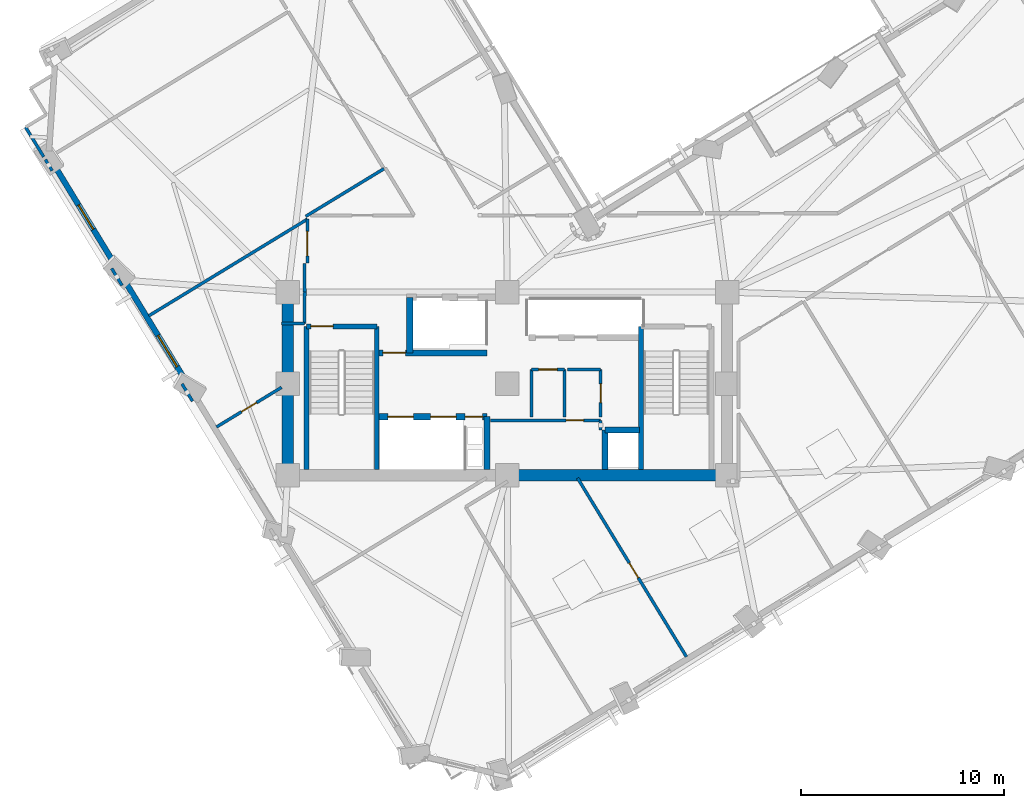
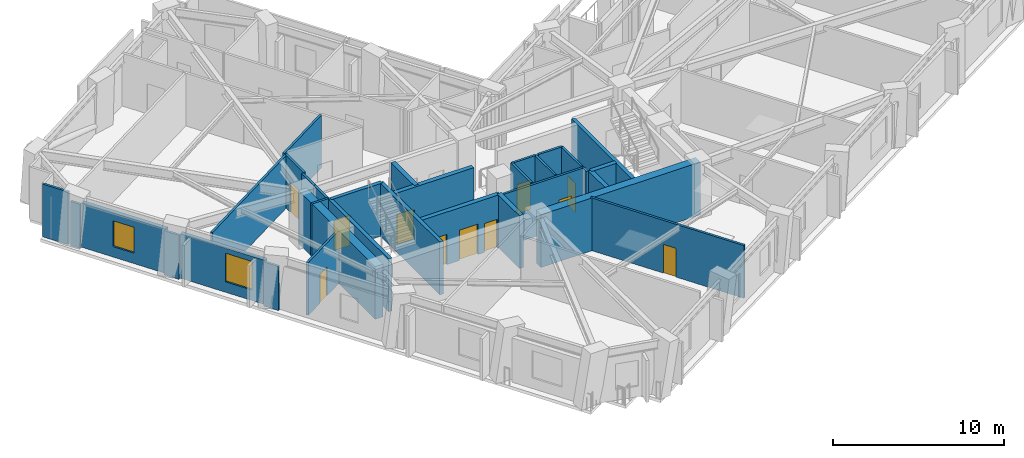
# One storey, part 5 of 14: 33 walls, 11 doors, 2 windows, 13 openings.
"""IFC4 building model written with IfcOpenShell, lengths in metres."""

from ifc_helpers import new_model, si_unit, direction, frame, frame_2d, origin, place, context, subcontext, project, spatial, rectangle, extrude, material, layer, layer_set, type_object, element, fill, save


model = new_model("IFC4")

# Units and contexts
model_context = context("Model", 3, precision=1e-05, world=origin(), true_north=direction((0.0, 1.0)))
body_context = subcontext(model_context, "Body", "Model", "MODEL_VIEW")
ifc_project = project(units=[si_unit("LENGTHUNIT", "METRE"), si_unit("AREAUNIT", "SQUARE_METRE"), si_unit("VOLUMEUNIT", "CUBIC_METRE"), si_unit("PLANEANGLEUNIT", "RADIAN"), si_unit("MASSUNIT", "GRAM", prefix="KILO")], contexts=[model_context])

# Site, building, storey
site_placement = place(None, origin())
site = spatial("IfcSite", under=ifc_project, at=site_placement, CompositionType="ELEMENT")
building_placement = place(site_placement, origin())
building = spatial("IfcBuilding", under=site, at=building_placement, Name="Gaonmaruhae Medical Tower", CompositionType="ELEMENT")
storey_placement = place(building_placement, frame((0.0, 0.0, 157.800048828125)))
storey = spatial("IfcBuildingStorey", under=building, at=storey_placement, Name="L37", CompositionType="ELEMENT", Elevation=157.800048828125)

# Walls
ifc_material_1 = material(Name="Concrete C50/60", Category="concrete")
ifc_layer_1 = layer(ifc_material_1, 0.550048828125)
ifc_layer_set_1 = layer_set([ifc_layer_1], Name="Concrete C50/60")
wall_type_1 = type_object("IfcWallType", Name="CW-550 Mid-High Core Shear Wall", PredefinedType="SHEAR", material=ifc_layer_set_1)
wall_1_placement = place(storey_placement, frame((24.800048828125, 7.800048828125, 0.0), z_axis=(0.0, 0.0, 1.0), x_axis=(1.0, 0.0, 0.0)))
element("IfcWall", 1, at=wall_1_placement, inside=storey, type_object=wall_type_1, Name="L37 Core Shear Wall CSW-S2", PredefinedType="SHEAR", context=body_context, shape_type="SweptSolid", body=[
    extrude(rectangle(XDim=10.800048828125, YDim=0.550048828125, at=frame_2d((5.39990234375, 0.0))), origin(), (0.0, 0.0, 1.0), 3.780029296875),
])
wall_2_placement = place(storey_placement, frame((14.0, 16.800048828125, 0.0), z_axis=(0.0, 0.0, 1.0), x_axis=(0.0, -1.0, 0.0)))
element("IfcWall", 2, at=wall_2_placement, inside=storey, type_object=wall_type_1, Name="L37 Core Shear Wall CSW-W1", PredefinedType="SHEAR", context=body_context, shape_type="SweptSolid", body=[
    extrude(rectangle(XDim=9.0, YDim=0.550048828125, at=frame_2d((4.5, 0.0))), origin(), (0.0, 0.0, 1.0), 3.780029296875),
])

# Wall, opening, window
ifc_material_2 = material(Name="Precast concrete C45/55", Category="concrete")
ifc_layer_2 = layer(ifc_material_2, 0.280029296875)
ifc_layer_set_2 = layer_set([ifc_layer_2], Name="Precast concrete C45/55")
wall_type_2 = type_object("IfcWallType", Name="EW-280 Upper Precast Masonry-Frame Facade Wall", PredefinedType="SOLIDWALL", material=ifc_layer_set_2)
wall_3_placement = place(storey_placement, frame((5.54638671875, 18.087890625, 0.0), z_axis=(0.0, 0.0, 1.0), x_axis=(-0.5202703237, 0.85400163365, 0.0)))
wall_3 = element("IfcWall", 3, at=wall_3_placement, inside=storey, type_object=wall_type_2, Name="L37 Precast Masonry-Frame Wall W01-W02", PredefinedType="SOLIDWALL", context=body_context, shape_type="SweptSolid", body=[
    extrude(rectangle(XDim=5.627685546875, YDim=0.280029296875, at=frame_2d((2.81396484375, 0.0))), origin(), (0.0, 0.0, 1.0), 3.1650390625),
])
opening_1_placement = place(wall_3_placement, frame((2.111083984375, 0.0, 0.75)))
opening_1 = element("IfcOpeningElement", 4, at=opening_1_placement, cuts=wall_3, Name="Opening WN-03", PredefinedType="OPENING", context=body_context, shape_type="SweptSolid", body=[
    extrude(rectangle(XDim=1.39990234375, YDim=1.85009765625, at=frame_2d((0.699951171875, 0.925048828125))), frame((0.0, 0.14990234375, 0.0), z_axis=(0.0, -1.0, 0.0), x_axis=(1.0, 0.0, 0.0)), (0.0, 0.0, 1.0), 0.300048828125),
])
ifc_material_3 = material(Name="Anodised aluminium and Low-E double glazing", Category="aluminium")
window_type_1 = type_object("IfcWindowType", Name="WN-03 Isolation Ward Punched Window 1400x1850", PartitioningType="SINGLE_PANEL", PredefinedType="WINDOW", material=ifc_material_3)
window_1_placement = place(opening_1_placement, origin())
window_1 = element("IfcWindow", 5, at=window_1_placement, inside=storey, type_object=window_type_1, Name="L37 Modular Facade Window W01", OverallHeight=1.85009765625, OverallWidth=1.39990234375, PartitioningType="SINGLE_PANEL", PredefinedType="WINDOW", context=body_context, shape_type="SweptSolid", body=[
    extrude(rectangle(XDim=1.39990234375, YDim=1.85009765625, at=frame_2d((0.699951171875, 0.925048828125))), frame((0.0, 0.030029296875, 0.0), z_axis=(0.0, -1.0, 0.0), x_axis=(1.0, 0.0, 0.0)), (0.0, 0.0, 1.0), 0.06005859375),
])
fill(opening_1, window_1)

wall_4_placement = place(storey_placement, frame((9.00341796875, 12.4130859375, 0.0), z_axis=(0.0, 0.0, 1.0), x_axis=(-0.520247840467, 0.85401533036, 0.0)))
wall_4 = element("IfcWall", 6, at=wall_4_placement, inside=storey, type_object=wall_type_2, Name="L37 Precast Masonry-Frame Wall W02-W03", PredefinedType="SOLIDWALL", context=body_context, shape_type="SweptSolid", body=[
    extrude(rectangle(XDim=5.662353515625, YDim=0.280029296875, at=frame_2d((2.8310546875, 0.0))), origin(), (0.0, 0.0, 1.0), 3.1650390625),
])
opening_2_placement = place(wall_4_placement, frame((0.848388671875, 0.0, 0.75)))
opening_2 = element("IfcOpeningElement", 7, at=opening_2_placement, cuts=wall_4, Name="Opening WN-04", PredefinedType="OPENING", context=body_context, shape_type="SweptSolid", body=[
    extrude(rectangle(XDim=1.800048828125, YDim=2.050048828125, at=frame_2d((0.89990234375, 1.02490234375))), frame((0.0, 0.14990234375, 0.0), z_axis=(0.0, -1.0, 0.0), x_axis=(1.0, 0.0, 0.0)), (0.0, 0.0, 1.0), 0.300048828125),
])
window_type_2 = type_object("IfcWindowType", Name="WN-04 Clinic & Consult Punched Window 1800x2050", PartitioningType="SINGLE_PANEL", PredefinedType="WINDOW", material=ifc_material_3)
window_2_placement = place(opening_2_placement, origin())
window_2 = element("IfcWindow", 8, at=window_2_placement, inside=storey, type_object=window_type_2, Name="L37 Modular Facade Window W02", OverallHeight=2.050048828125, OverallWidth=1.800048828125, PartitioningType="SINGLE_PANEL", PredefinedType="WINDOW", context=body_context, shape_type="SweptSolid", body=[
    extrude(rectangle(XDim=1.800048828125, YDim=2.050048828125, at=frame_2d((0.89990234375, 1.02490234375))), frame((0.0, 0.030029296875, 0.0), z_axis=(0.0, -1.0, 0.0), x_axis=(1.0, 0.0, 0.0)), (0.0, 0.0, 1.0), 0.06005859375),
])
fill(opening_2, window_2)

# Wall, opening, door
ifc_material_4 = material(Name="Gypsum board partition", Category="gypsum")
ifc_layer_3 = layer(ifc_material_4, 0.14990234375)
ifc_layer_set_3 = layer_set([ifc_layer_3], Name="Gypsum board partition")
wall_type_3 = type_object("IfcWallType", Name="PW-150 Rated Clinical Corridor Partition", PredefinedType="PARTITIONING", material=ifc_layer_set_3)
wall_5_placement = place(storey_placement, frame((23.97998046875, 10.5, 0.0), z_axis=(0.0, 0.0, 1.0), x_axis=(1.0, 0.0, 0.0)))
wall_5 = element("IfcWall", 9, at=wall_5_placement, inside=storey, type_object=wall_type_3, Name="L37 Interior Partition L37-RCL1-1", PredefinedType="PARTITIONING", context=body_context, shape_type="SweptSolid", body=[
    extrude(rectangle(XDim=5.39990234375, YDim=0.14990234375, at=frame_2d((2.699951171875, 0.0))), origin(), (0.0, 0.0, 1.0), 3.780029296875),
])
opening_3_placement = place(wall_5_placement, frame((3.702880859375, 0.0, 0.0)))
opening_3 = element("IfcOpeningElement", 10, at=opening_3_placement, cuts=wall_5, Name="Opening AD-01", PredefinedType="OPENING", context=body_context, shape_type="SweptSolid", body=[
    extrude(rectangle(XDim=0.860107421875, YDim=2.06005859375, at=frame_2d((0.43017578125, 1.030029296875))), frame((0.0, 0.0849609375, 0.0), z_axis=(0.0, -1.0, 0.0), x_axis=(1.0, 0.0, 0.0)), (0.0, 0.0, 1.0), 0.169921875),
])
ifc_material_5 = material(Name="Powder-coated steel access door", Category="steel")
door_type_1 = type_object("IfcDoorType", Name="AD-01 Riser & Closet Access Fire Door 860x2060", OperationType="NOTDEFINED", PredefinedType="DOOR", material=ifc_material_5)
door_1_placement = place(opening_3_placement, origin())
door_1 = element("IfcDoor", 11, at=door_1_placement, inside=storey, type_object=door_type_1, Name="L37 Biomedical Infusion Preparation Room Sliding Door", OperationType="SLIDING_TO_LEFT", OverallHeight=2.06005859375, OverallWidth=0.860107421875, PredefinedType="DOOR", context=body_context, shape_type="SweptSolid", body=[
    extrude(rectangle(XDim=0.860107421875, YDim=2.06005859375, at=frame_2d((0.43017578125, 1.030029296875))), frame((0.0, 0.02490234375, 0.0), z_axis=(0.0, -1.0, 0.0), x_axis=(1.0, 0.0, 0.0)), (0.0, 0.0, 1.0), 0.050048828125),
])
fill(opening_3, door_1)

# Walls
wall_6_placement = place(storey_placement, frame((29.3798828125, 10.5, 0.0), z_axis=(0.0, 0.0, 1.0), x_axis=(0.0, -1.0, 0.0)))
element("IfcWall", 12, at=wall_6_placement, inside=storey, type_object=wall_type_3, Name="L37 Interior Partition L37-RCL1-2", PredefinedType="PARTITIONING", context=body_context, shape_type="SweptSolid", body=[
    extrude(rectangle(XDim=0.47998046875, YDim=0.14990234375, at=frame_2d((0.239990234375, 0.0))), origin(), (0.0, 0.0, 1.0), 3.780029296875),
])
wall_7_placement = place(storey_placement, frame((25.97998046875, 10.659912109375, 0.0), z_axis=(0.0, 0.0, 1.0), x_axis=(0.0, 1.0, 0.0)))
element("IfcWall", 13, at=wall_7_placement, inside=storey, type_object=wall_type_3, Name="L37 Interior Partition L37-CS1-3", PredefinedType="PARTITIONING", context=body_context, shape_type="SweptSolid", body=[
    extrude(rectangle(XDim=2.340087890625, YDim=0.14990234375, at=frame_2d((1.169921875, 0.0))), origin(), (0.0, 0.0, 1.0), 3.780029296875),
])

# Wall, opening, door
wall_8_placement = place(storey_placement, frame((25.97998046875, 13.0, 0.0), z_axis=(0.0, 0.0, 1.0), x_axis=(1.0, 0.0, 0.0)))
wall_8 = element("IfcWall", 14, at=wall_8_placement, inside=storey, type_object=wall_type_3, Name="L37 Interior Partition L37-CS1-4", PredefinedType="PARTITIONING", context=body_context, shape_type="SweptSolid", body=[
    extrude(rectangle(XDim=1.6201171875, YDim=0.14990234375, at=frame_2d((0.81005859375, 0.0))), origin(), (0.0, 0.0, 1.0), 3.780029296875),
])
opening_4_placement = place(wall_8_placement, frame((0.35009765625, 0.0, 0.0)))
opening_4 = element("IfcOpeningElement", 15, at=opening_4_placement, cuts=wall_8, Name="Opening UD-01", PredefinedType="OPENING", context=body_context, shape_type="SweptSolid", body=[
    extrude(rectangle(XDim=0.919921875, YDim=2.10009765625, at=frame_2d((0.4599609375, 1.050048828125))), frame((0.0, 0.0849609375, 0.0), z_axis=(0.0, -1.0, 0.0), x_axis=(1.0, 0.0, 0.0)), (0.0, 0.0, 1.0), 0.169921875),
])
ifc_material_6 = material(Name="Powder-coated steel utility door", Category="steel")
door_type_2 = type_object("IfcDoorType", Name="UD-01 Toilet, Utility & Housekeeping Door 920x2100", OperationType="NOTDEFINED", PredefinedType="DOOR", material=ifc_material_6)
door_2_placement = place(opening_4_placement, origin())
door_2 = element("IfcDoor", 16, at=door_2_placement, inside=storey, type_object=door_type_2, Name="L37 Accessible Staff Toilet Door", OperationType="SINGLE_SWING_RIGHT", OverallHeight=2.10009765625, OverallWidth=0.919921875, PredefinedType="DOOR", context=body_context, shape_type="SweptSolid", body=[
    extrude(rectangle(XDim=0.919921875, YDim=2.10009765625, at=frame_2d((0.4599609375, 1.050048828125))), frame((0.0, 0.02490234375, 0.0), z_axis=(0.0, -1.0, 0.0), x_axis=(1.0, 0.0, 0.0)), (0.0, 0.0, 1.0), 0.050048828125),
])
fill(opening_4, door_2)

# Walls
wall_9_placement = place(storey_placement, frame((27.60009765625, 13.0, 0.0), z_axis=(0.0, 0.0, 1.0), x_axis=(0.0, -1.0, 0.0)))
element("IfcWall", 17, at=wall_9_placement, inside=storey, type_object=wall_type_3, Name="L37 Interior Partition L37-CS1-5", PredefinedType="PARTITIONING", context=body_context, shape_type="SweptSolid", body=[
    extrude(rectangle(XDim=2.340087890625, YDim=0.14990234375, at=frame_2d((1.169921875, 0.0))), origin(), (0.0, 0.0, 1.0), 3.780029296875),
])
wall_10_placement = place(storey_placement, frame((27.760009765625, 13.0, 0.0), z_axis=(0.0, 0.0, 1.0), x_axis=(1.0, 0.0, 0.0)))
element("IfcWall", 18, at=wall_10_placement, inside=storey, type_object=wall_type_3, Name="L37 Interior Partition L37-CS2-6", PredefinedType="PARTITIONING", context=body_context, shape_type="SweptSolid", body=[
    extrude(rectangle(XDim=1.619873046875, YDim=0.14990234375, at=frame_2d((0.81005859375, 0.0))), origin(), (0.0, 0.0, 1.0), 3.780029296875),
])

# Wall, opening, door
wall_11_placement = place(storey_placement, frame((29.3798828125, 13.0, 0.0), z_axis=(0.0, 0.0, 1.0), x_axis=(0.0, -1.0, 0.0)))
wall_11 = element("IfcWall", 19, at=wall_11_placement, inside=storey, type_object=wall_type_3, Name="L37 Interior Partition L37-CS2-7", PredefinedType="PARTITIONING", context=body_context, shape_type="SweptSolid", body=[
    extrude(rectangle(XDim=2.340087890625, YDim=0.14990234375, at=frame_2d((1.169921875, 0.0))), origin(), (0.0, 0.0, 1.0), 3.780029296875),
])
opening_5_placement = place(wall_11_placement, frame((0.7099609375, 0.0, 0.0)))
opening_5 = element("IfcOpeningElement", 20, at=opening_5_placement, cuts=wall_11, Name="Opening UD-01", PredefinedType="OPENING", context=body_context, shape_type="SweptSolid", body=[
    extrude(rectangle(XDim=0.919921875, YDim=2.10009765625, at=frame_2d((0.4599609375, 1.050048828125))), frame((0.0, 0.0849609375, 0.0), z_axis=(0.0, -1.0, 0.0), x_axis=(1.0, 0.0, 0.0)), (0.0, 0.0, 1.0), 0.169921875),
])
door_3_placement = place(opening_5_placement, origin())
door_3 = element("IfcDoor", 21, at=door_3_placement, inside=storey, type_object=door_type_2, Name="L37 Biomedical Telemetry Closet Door", OperationType="SINGLE_SWING_RIGHT", OverallHeight=2.10009765625, OverallWidth=0.919921875, PredefinedType="DOOR", context=body_context, shape_type="SweptSolid", body=[
    extrude(rectangle(XDim=0.919921875, YDim=2.10009765625, at=frame_2d((0.4599609375, 1.050048828125))), frame((0.0, 0.02490234375, 0.0), z_axis=(0.0, -1.0, 0.0), x_axis=(1.0, 0.0, 0.0)), (0.0, 0.0, 1.0), 0.050048828125),
])
fill(opening_5, door_3)

wall_12_placement = place(storey_placement, frame((28.2490234375, 7.6630859375, 0.0), z_axis=(0.0, 0.0, 1.0), x_axis=(0.520338524303, -0.853960081108, 0.0)))
wall_12 = element("IfcWall", 22, at=wall_12_placement, inside=storey, type_object=wall_type_3, Name="L37 Interior Partition L37-SUP02-11", PredefinedType="PARTITIONING", context=body_context, shape_type="SweptSolid", body=[
    extrude(rectangle(XDim=10.283935546875, YDim=0.14990234375, at=frame_2d((5.14208984375, 0.0))), origin(), (0.0, 0.0, 1.0), 3.780029296875),
])
opening_6_placement = place(wall_12_placement, frame((4.8876953125, 0.0, 0.0)))
opening_6 = element("IfcOpeningElement", 23, at=opening_6_placement, cuts=wall_12, Name="Opening AD-01", PredefinedType="OPENING", context=body_context, shape_type="SweptSolid", body=[
    extrude(rectangle(XDim=0.860107421875, YDim=2.06005859375, at=frame_2d((0.43017578125, 1.030029296875))), frame((0.0, 0.0849609375, 0.0), z_axis=(0.0, -1.0, 0.0), x_axis=(1.0, 0.0, 0.0)), (0.0, 0.0, 1.0), 0.169921875),
])
door_4_placement = place(opening_6_placement, origin())
door_4 = element("IfcDoor", 24, at=door_4_placement, inside=storey, type_object=door_type_1, Name="L37 Clinical Biomedical Charting Office Sliding Door", OperationType="SLIDING_TO_LEFT", OverallHeight=2.06005859375, OverallWidth=0.860107421875, PredefinedType="DOOR", context=body_context, shape_type="SweptSolid", body=[
    extrude(rectangle(XDim=0.860107421875, YDim=2.06005859375, at=frame_2d((0.43017578125, 1.030029296875))), frame((0.0, 0.02490234375, 0.0), z_axis=(0.0, -1.0, 0.0), x_axis=(1.0, 0.0, 0.0)), (0.0, 0.0, 1.0), 0.050048828125),
])
fill(opening_6, door_4)

wall_13_placement = place(storey_placement, frame((10.5029296875, 10.173095703125, 0.0), z_axis=(0.0, 0.0, 1.0), x_axis=(0.853962981961, 0.520333763502, 0.0)))
wall_13 = element("IfcWall", 25, at=wall_13_placement, inside=storey, type_object=wall_type_3, Name="L37 Interior Partition L37-WOF08-36", PredefinedType="PARTITIONING", context=body_context, shape_type="SweptSolid", body=[
    extrude(rectangle(XDim=3.74365234375, YDim=0.14990234375, at=frame_2d((1.871826171875, 0.0))), origin(), (0.0, 0.0, 1.0), 3.780029296875),
])
opening_7_placement = place(wall_13_placement, frame((1.44189453125, 0.0, 0.0)))
opening_7 = element("IfcOpeningElement", 26, at=opening_7_placement, cuts=wall_13, Name="Opening AD-01", PredefinedType="OPENING", context=body_context, shape_type="SweptSolid", body=[
    extrude(rectangle(XDim=0.860107421875, YDim=2.06005859375, at=frame_2d((0.43017578125, 1.030029296875))), frame((0.0, 0.0849609375, 0.0), z_axis=(0.0, -1.0, 0.0), x_axis=(1.0, 0.0, 0.0)), (0.0, 0.0, 1.0), 0.169921875),
])
door_5_placement = place(opening_7_placement, origin())
door_5 = element("IfcDoor", 27, at=door_5_placement, inside=storey, type_object=door_type_1, Name="L37 Ward Physician Reporting Office Sliding Door", OperationType="SLIDING_TO_LEFT", OverallHeight=2.06005859375, OverallWidth=0.860107421875, PredefinedType="DOOR", context=body_context, shape_type="SweptSolid", body=[
    extrude(rectangle(XDim=0.860107421875, YDim=2.06005859375, at=frame_2d((0.43017578125, 1.030029296875))), frame((0.0, 0.02490234375, 0.0), z_axis=(0.0, -1.0, 0.0), x_axis=(1.0, 0.0, 0.0)), (0.0, 0.0, 1.0), 0.050048828125),
])
fill(opening_7, door_5)

# Walls
wall_14_placement = place(storey_placement, frame((14.820068359375, 18.199951171875, 0.0), z_axis=(0.0, 0.0, 1.0), x_axis=(0.01499656939, -0.99988754513, 0.0)))
element("IfcWall", 28, at=wall_14_placement, inside=storey, type_object=wall_type_3, Name="L37 Interior Partition L37-WOF09-37", PredefinedType="PARTITIONING", context=body_context, shape_type="SweptSolid", body=[
    extrude(rectangle(XDim=1.400146484375, YDim=0.14990234375, at=frame_2d((0.7001953125, 0.0))), origin(), (0.0, 0.0, 1.0), 3.780029296875),
])
wall_15_placement = place(storey_placement, frame((14.841064453125, 16.800048828125, 0.0), z_axis=(0.0, 0.0, 1.0), x_axis=(-0.01363221443, -0.999907077048, 0.0)))
element("IfcWall", 29, at=wall_15_placement, inside=storey, type_object=wall_type_3, Name="L37 Interior Partition L37-WOF09-38", PredefinedType="PARTITIONING", context=body_context, shape_type="SweptSolid", body=[
    extrude(rectangle(XDim=1.540283203125, YDim=0.14990234375, at=frame_2d((0.77001953125, 0.0))), origin(), (0.0, 0.0, 1.0), 3.780029296875),
])
wall_16_placement = place(storey_placement, frame((14.820068359375, 15.260009765625, 0.0), z_axis=(0.0, 0.0, 1.0), x_axis=(-1.0, 0.0, 0.0)))
element("IfcWall", 30, at=wall_16_placement, inside=storey, type_object=wall_type_3, Name="L37 Interior Partition L37-WOF09-39", PredefinedType="PARTITIONING", context=body_context, shape_type="SweptSolid", body=[
    extrude(rectangle(XDim=1.1201171875, YDim=0.14990234375, at=frame_2d((0.56005859375, 0.0))), origin(), (0.0, 0.0, 1.0), 3.780029296875),
])
wall_17_placement = place(storey_placement, frame((9.322998046875, 11.446044921875, 0.0), z_axis=(0.0, 0.0, 1.0), x_axis=(-0.519946946896, 0.854198555614, 0.0)))
element("IfcWall", 31, at=wall_17_placement, inside=storey, type_object=wall_type_3, Name="L37 Interior Partition L37-WOF09-40", PredefinedType="PARTITIONING", context=body_context, shape_type="SweptSolid", body=[
    extrude(rectangle(XDim=0.99267578125, YDim=0.14990234375, at=frame_2d((0.496337890625, 0.0))), origin(), (0.0, 0.0, 1.0), 3.1650390625),
])
wall_18_placement = place(storey_placement, frame((7.173095703125, 15.637939453125, 0.0), z_axis=(0.0, 0.0, 1.0), x_axis=(0.854000204459, 0.52027266965, 0.0)))
element("IfcWall", 32, at=wall_18_placement, inside=storey, type_object=wall_type_3, Name="L37 Interior Partition L37-WOF09-41", PredefinedType="PARTITIONING", context=body_context, shape_type="SweptSolid", body=[
    extrude(rectangle(XDim=9.1298828125, YDim=0.14990234375, at=frame_2d((4.56494140625, 0.0))), origin(), (0.0, 0.0, 1.0), 3.780029296875),
])

# Wall, opening, door
wall_19_placement = place(storey_placement, frame((14.969970703125, 20.387939453125, 0.0), z_axis=(0.0, 0.0, 1.0), x_axis=(0.0, -1.0, 0.0)))
wall_19 = element("IfcWall", 33, at=wall_19_placement, inside=storey, type_object=wall_type_3, Name="L37 Interior Partition L37-WOF09-42", PredefinedType="PARTITIONING", context=body_context, shape_type="SweptSolid", body=[
    extrude(rectangle(XDim=2.157958984375, YDim=0.14990234375, at=frame_2d((1.0791015625, 0.0))), origin(), (0.0, 0.0, 1.0), 3.780029296875),
])
opening_8_placement = place(wall_19_placement, frame((0.598388671875, 0.0, 0.0)))
opening_8 = element("IfcOpeningElement", 34, at=opening_8_placement, cuts=wall_19, Name="Opening CD-02", PredefinedType="OPENING", context=body_context, shape_type="SweptSolid", body=[
    extrude(rectangle(XDim=1.199951171875, YDim=2.14990234375, at=frame_2d((0.60009765625, 1.074951171875))), frame((0.0, 0.0849609375, 0.0), z_axis=(0.0, -1.0, 0.0), x_axis=(1.0, 0.0, 0.0)), (0.0, 0.0, 1.0), 0.169921875),
])
ifc_material_7 = material(Name="Antimicrobial laminate timber fire door", Category="wood")
door_type_3 = type_object("IfcDoorType", Name="CD-02 Clinical Treatment & Procedure Door 1200x2150", OperationType="NOTDEFINED", PredefinedType="DOOR", material=ifc_material_7)
door_6_placement = place(opening_8_placement, origin())
door_6 = element("IfcDoor", 35, at=door_6_placement, inside=storey, type_object=door_type_3, Name="L37 Ward Physician Reporting Office Door", OperationType="SINGLE_SWING_LEFT", OverallHeight=2.14990234375, OverallWidth=1.199951171875, PredefinedType="DOOR", context=body_context, shape_type="SweptSolid", body=[
    extrude(rectangle(XDim=1.199951171875, YDim=2.14990234375, at=frame_2d((0.60009765625, 1.074951171875))), frame((0.0, 0.02490234375, 0.0), z_axis=(0.0, -1.0, 0.0), x_axis=(1.0, 0.0, 0.0)), (0.0, 0.0, 1.0), 0.050048828125),
])
fill(opening_8, door_6)

# Walls
wall_20_placement = place(storey_placement, frame((18.73388671875, 22.868896484375, 0.0), z_axis=(0.0, 0.0, 1.0), x_axis=(-0.854021673807, -0.520237427208, 0.0)))
element("IfcWall", 36, at=wall_20_placement, inside=storey, type_object=wall_type_3, Name="L37 Interior Partition L37-WOF10-45", PredefinedType="PARTITIONING", context=body_context, shape_type="SweptSolid", body=[
    extrude(rectangle(XDim=4.505615234375, YDim=0.14990234375, at=frame_2d((2.2529296875, 0.0))), origin(), (0.0, 0.0, 1.0), 3.780029296875),
])
wall_21_placement = place(storey_placement, frame((5.861083984375, 17.12890625, 0.0), z_axis=(0.0, 0.0, 1.0), x_axis=(-0.520112490178, 0.854097768151, 0.0)))
element("IfcWall", 37, at=wall_21_placement, inside=storey, type_object=wall_type_3, Name="L37 Interior Partition L37-WOF10-46", PredefinedType="PARTITIONING", context=body_context, shape_type="SweptSolid", body=[
    extrude(rectangle(XDim=0.982421875, YDim=0.14990234375, at=frame_2d((0.4912109375, 0.0))), origin(), (0.0, 0.0, 1.0), 3.1650390625),
])
wall_22_placement = place(storey_placement, frame((2.422119140625, 22.77392578125, 0.0), z_axis=(0.0, 0.0, 1.0), x_axis=(-0.520142212164, 0.854079667903, 0.0)))
element("IfcWall", 38, at=wall_22_placement, inside=storey, type_object=wall_type_3, Name="L37 Interior Partition L37-WOF10-47", PredefinedType="PARTITIONING", context=body_context, shape_type="SweptSolid", body=[
    extrude(rectangle(XDim=0.634521484375, YDim=0.14990234375, at=frame_2d((0.3173828125, 0.0))), origin(), (0.0, 0.0, 1.0), 3.1650390625),
])
wall_23_placement = place(storey_placement, frame((2.009033203125, 23.452880859375, 0.0), z_axis=(0.0, 0.0, 1.0), x_axis=(-0.520326364679, 0.853967490142, 0.0)))
element("IfcWall", 39, at=wall_23_placement, inside=storey, type_object=wall_type_3, Name="L37 Interior Partition L37-WOF11-53", PredefinedType="PARTITIONING", context=body_context, shape_type="SweptSolid", body=[
    extrude(rectangle(XDim=1.714599609375, YDim=0.14990234375, at=frame_2d((0.857421875, 0.0))), origin(), (0.0, 0.0, 1.0), 3.780029296875),
])

# Wall, opening, door
ifc_layer_4 = layer(ifc_material_1, 0.239990234375)
ifc_layer_set_4 = layer_set([ifc_layer_4], Name="Concrete C50/60")
wall_type_4 = type_object("IfcWallType", Name="SW-240 Dogleg Stair Tight Shaft Wall", PredefinedType="SOLIDWALL", material=ifc_layer_set_4)
wall_24_placement = place(storey_placement, frame((14.919921875, 15.1201171875, 0.0), z_axis=(0.0, 0.0, 1.0), x_axis=(1.0, 0.0, 0.0)))
wall_24 = element("IfcWall", 40, at=wall_24_placement, inside=storey, type_object=wall_type_4, Name="L37 ST-01 Stair Shaft Wall SHW-ST-01-N", PredefinedType="SOLIDWALL", context=body_context, shape_type="SweptSolid", body=[
    extrude(rectangle(XDim=3.4599609375, YDim=0.239990234375, at=frame_2d((1.72998046875, 0.0))), origin(), (0.0, 0.0, 1.0), 3.780029296875),
])
opening_9_placement = place(wall_24_placement, frame((0.219970703125, 0.0, 0.0)))
opening_9 = element("IfcOpeningElement", 41, at=opening_9_placement, cuts=wall_24, Name="Opening FD-01", PredefinedType="OPENING", context=body_context, shape_type="SweptSolid", body=[
    extrude(rectangle(XDim=1.10009765625, YDim=2.14990234375, at=frame_2d((0.550048828125, 1.074951171875))), frame((0.0, 0.1298828125, 0.0), z_axis=(0.0, -1.0, 0.0), x_axis=(1.0, 0.0, 0.0)), (0.0, 0.0, 1.0), 0.260009765625),
])
ifc_material_8 = material(Name="Powder-coated steel fire door", Category="steel")
door_type_4 = type_object("IfcDoorType", Name="FD-01 Escape Stair Protected Fire Door 1100x2150", OperationType="NOTDEFINED", PredefinedType="DOOR", material=ifc_material_8)
door_7_placement = place(opening_9_placement, origin())
door_7 = element("IfcDoor", 42, at=door_7_placement, inside=storey, type_object=door_type_4, Name="L37 ST-01 Protected Escape Stair Door", OperationType="SINGLE_SWING_RIGHT", OverallHeight=2.14990234375, OverallWidth=1.10009765625, PredefinedType="DOOR", context=body_context, shape_type="SweptSolid", body=[
    extrude(rectangle(XDim=1.10009765625, YDim=2.14990234375, at=frame_2d((0.550048828125, 1.074951171875))), frame((0.0, 0.02490234375, 0.0), z_axis=(0.0, -1.0, 0.0), x_axis=(1.0, 0.0, 0.0)), (0.0, 0.0, 1.0), 0.050048828125),
])
fill(opening_9, door_7)

# Walls
for number, where, z_axis, x_axis, name in (
    (43, (18.3798828125, 15.1201171875, 0.0), (0.0, 0.0, 1.0), (0.0, -1.0, 0.0), "L37 ST-01 Stair Shaft Wall SHW-ST-01-E"),
    (44, (14.919921875, 8.074951171875, 0.0), (0.0, 0.0, 1.0), (0.0, 1.0, 0.0), "L37 ST-01 Stair Shaft Wall SHW-ST-01-W"),
    (45, (31.3701171875, 8.074951171875, 0.0), (0.0, 0.0, 1.0), (0.0, 1.0, 0.0), "L37 ST-02 Stair Shaft Wall SHW-ST-02-W"),
):
    element("IfcWall", number, at=place(storey_placement, frame(where, z_axis=z_axis, x_axis=x_axis)), inside=storey, type_object=wall_type_4, Name=name, PredefinedType="SOLIDWALL", context=body_context, shape_type="SweptSolid", body=[
        extrude(rectangle(XDim=7.045166015625, YDim=0.239990234375, at=frame_2d((3.5224609375, 0.0))), origin(), (0.0, 0.0, 1.0), 3.780029296875),
    ])

# Wall, openings, doors
ifc_layer_5 = layer(ifc_material_1, 0.300048828125)
ifc_layer_set_5 = layer_set([ifc_layer_5], Name="Concrete C50/60")
wall_type_5 = type_object("IfcWallType", Name="SW-300 Stair & Lift Hoistway Shaft Wall", PredefinedType="SOLIDWALL", material=ifc_layer_set_5)
wall_25_placement = place(storey_placement, frame((18.5, 10.679931640625, 0.0), z_axis=(0.0, 0.0, 1.0), x_axis=(1.0, 0.0, 0.0)))
wall_25 = element("IfcWall", 46, at=wall_25_placement, inside=storey, type_object=wall_type_5, Name="L37 Shaft Enclosure Wall SHW-FFN", PredefinedType="SOLIDWALL", context=body_context, shape_type="SweptSolid", body=[
    extrude(rectangle(XDim=5.300048828125, YDim=0.300048828125, at=frame_2d((2.64990234375, 0.0))), origin(), (0.0, 0.0, 1.0), 3.780029296875),
])
opening_10_placement = place(wall_25_placement, frame((4.219970703125, 0.0, 0.0)))
opening_10 = element("IfcOpeningElement", 47, at=opening_10_placement, cuts=wall_25, Name="Opening AD-01", PredefinedType="OPENING", context=body_context, shape_type="SweptSolid", body=[
    extrude(rectangle(XDim=0.860107421875, YDim=2.06005859375, at=frame_2d((0.43017578125, 1.030029296875))), frame((0.0, 0.16015625, 0.0), z_axis=(0.0, -1.0, 0.0), x_axis=(1.0, 0.0, 0.0)), (0.0, 0.0, 1.0), 0.320068359375),
])
opening_11_placement = place(wall_25_placement, frame((0.425048828125, 0.0, 0.0)))
opening_11 = element("IfcOpeningElement", 48, at=opening_11_placement, cuts=wall_25, Name="Opening LD-F1", PredefinedType="OPENING", context=body_context, shape_type="SweptSolid", body=[
    extrude(rectangle(XDim=1.25, YDim=2.179931640625, at=frame_2d((0.625, 1.08984375))), frame((0.0, 0.16015625, 0.0), z_axis=(0.0, -1.0, 0.0), x_axis=(1.0, 0.0, 0.0)), (0.0, 0.0, 1.0), 0.320068359375),
])
opening_12_placement = place(wall_25_placement, frame((2.52490234375, 0.0, 0.0)))
opening_12 = element("IfcOpeningElement", 49, at=opening_12_placement, cuts=wall_25, Name="Opening LD-F1", PredefinedType="OPENING", context=body_context, shape_type="SweptSolid", body=[
    extrude(rectangle(XDim=1.25, YDim=2.179931640625, at=frame_2d((0.625, 1.08984375))), frame((0.0, 0.16015625, 0.0), z_axis=(0.0, -1.0, 0.0), x_axis=(1.0, 0.0, 0.0)), (0.0, 0.0, 1.0), 0.320068359375),
])
door_8_placement = place(opening_10_placement, origin())
door_8 = element("IfcDoor", 50, at=door_8_placement, inside=storey, type_object=door_type_1, Name="L37 Medical Gas and MEP Riser Access Door", OperationType="SINGLE_SWING_RIGHT", OverallHeight=2.06005859375, OverallWidth=0.860107421875, PredefinedType="DOOR", context=body_context, shape_type="SweptSolid", body=[
    extrude(rectangle(XDim=0.860107421875, YDim=2.06005859375, at=frame_2d((0.43017578125, 1.030029296875))), frame((0.0, 0.02490234375, 0.0), z_axis=(0.0, -1.0, 0.0), x_axis=(1.0, 0.0, 0.0)), (0.0, 0.0, 1.0), 0.050048828125),
])
fill(opening_10, door_8)
ifc_material_9 = material(Name="Brushed stainless steel 316L landing door", Category="steel")
door_type_5 = type_object("IfcDoorType", Name="LD-F1 Firefighting & Bed Lift Sliding Landing Door 1250x2180", OperationType="NOTDEFINED", PredefinedType="DOOR", material=ifc_material_9)
door_9_placement = place(opening_11_placement, origin())
door_9 = element("IfcDoor", 51, at=door_9_placement, inside=storey, type_object=door_type_5, Name="L37 Firefighting Lift Landing Door FFL-01", OperationType="DOUBLE_DOOR_SLIDING", OverallHeight=2.179931640625, OverallWidth=1.25, PredefinedType="DOOR", context=body_context, shape_type="SweptSolid", body=[
    extrude(rectangle(XDim=1.25, YDim=2.179931640625, at=frame_2d((0.625, 1.08984375))), frame((0.0, 0.02490234375, 0.0), z_axis=(0.0, -1.0, 0.0), x_axis=(1.0, 0.0, 0.0)), (0.0, 0.0, 1.0), 0.050048828125),
])
fill(opening_11, door_9)
door_10_placement = place(opening_12_placement, origin())
door_10 = element("IfcDoor", 52, at=door_10_placement, inside=storey, type_object=door_type_5, Name="L37 Firefighting Lift Landing Door FFL-02", OperationType="DOUBLE_DOOR_SLIDING", OverallHeight=2.179931640625, OverallWidth=1.25, PredefinedType="DOOR", context=body_context, shape_type="SweptSolid", body=[
    extrude(rectangle(XDim=1.25, YDim=2.179931640625, at=frame_2d((0.625, 1.08984375))), frame((0.0, 0.02490234375, 0.0), z_axis=(0.0, -1.0, 0.0), x_axis=(1.0, 0.0, 0.0)), (0.0, 0.0, 1.0), 0.050048828125),
])
fill(opening_12, door_10)

# Wall, opening, door
wall_26_placement = place(storey_placement, frame((18.5, 13.820068359375, 0.0), z_axis=(0.0, 0.0, 1.0), x_axis=(1.0, 0.0, 0.0)))
wall_26 = element("IfcWall", 53, at=wall_26_placement, inside=storey, type_object=wall_type_5, Name="L37 Shaft Enclosure Wall SHW-FFL", PredefinedType="SOLIDWALL", context=body_context, shape_type="SweptSolid", body=[
    extrude(rectangle(XDim=5.300048828125, YDim=0.300048828125, at=frame_2d((2.64990234375, 0.0))), origin(), (0.0, 0.0, 1.0), 3.780029296875),
])
opening_13_placement = place(wall_26_placement, frame((0.179931640625, 0.0, 0.0)))
opening_13 = element("IfcOpeningElement", 54, at=opening_13_placement, cuts=wall_26, Name="Opening FD-01", PredefinedType="OPENING", context=body_context, shape_type="SweptSolid", body=[
    extrude(rectangle(XDim=1.10009765625, YDim=2.14990234375, at=frame_2d((0.550048828125, 1.074951171875))), frame((0.0, 0.16015625, 0.0), z_axis=(0.0, -1.0, 0.0), x_axis=(1.0, 0.0, 0.0)), (0.0, 0.0, 1.0), 0.320068359375),
])
door_11_placement = place(opening_13_placement, origin())
door_11 = element("IfcDoor", 55, at=door_11_placement, inside=storey, type_object=door_type_4, Name="L37 Firefighting Lobby Smoke Door", OperationType="SINGLE_SWING_LEFT", OverallHeight=2.14990234375, OverallWidth=1.10009765625, PredefinedType="DOOR", context=body_context, shape_type="SweptSolid", body=[
    extrude(rectangle(XDim=1.10009765625, YDim=2.14990234375, at=frame_2d((0.550048828125, 1.074951171875))), frame((0.0, 0.02490234375, 0.0), z_axis=(0.0, -1.0, 0.0), x_axis=(1.0, 0.0, 0.0)), (0.0, 0.0, 1.0), 0.050048828125),
])
fill(opening_13, door_11)

# Walls
wall_27_placement = place(storey_placement, frame((23.800048828125, 8.074951171875, 0.0), z_axis=(0.0, 0.0, 1.0), x_axis=(0.0, 1.0, 0.0)))
element("IfcWall", 56, at=wall_27_placement, inside=storey, type_object=wall_type_5, Name="L37 Shaft Enclosure Wall SHW-FFE", PredefinedType="SOLIDWALL", context=body_context, shape_type="SweptSolid", body=[
    extrude(rectangle(XDim=2.60498046875, YDim=0.300048828125, at=frame_2d((1.302490234375, 0.0))), origin(), (0.0, 0.0, 1.0), 3.780029296875),
])
wall_28_placement = place(storey_placement, frame((20.0, 13.820068359375, 0.0), z_axis=(0.0, 0.0, 1.0), x_axis=(0.0, 1.0, 0.0)))
element("IfcWall", 57, at=wall_28_placement, inside=storey, type_object=wall_type_5, Name="L37 Shaft Enclosure Wall SHW-BDW", PredefinedType="SOLIDWALL", context=body_context, shape_type="SweptSolid", body=[
    extrude(rectangle(XDim=2.72998046875, YDim=0.300048828125, at=frame_2d((1.364990234375, 0.0))), origin(), (0.0, 0.0, 1.0), 3.780029296875),
])
wall_29_placement = place(storey_placement, frame((29.60009765625, 10.02001953125, 0.0), z_axis=(0.0, 0.0, 1.0), x_axis=(1.0, 0.0, 0.0)))
element("IfcWall", 58, at=wall_29_placement, inside=storey, type_object=wall_type_5, Name="L37 Shaft Enclosure Wall SHW-PLS", PredefinedType="SOLIDWALL", context=body_context, shape_type="SweptSolid", body=[
    extrude(rectangle(XDim=1.699951171875, YDim=0.300048828125, at=frame_2d((0.85009765625, 0.0))), origin(), (0.0, 0.0, 1.0), 3.780029296875),
])
wall_30_placement = place(storey_placement, frame((29.60009765625, 8.074951171875, 0.0), z_axis=(0.0, 0.0, 1.0), x_axis=(0.0, 1.0, 0.0)))
element("IfcWall", 59, at=wall_30_placement, inside=storey, type_object=wall_type_5, Name="L37 Shaft Enclosure Wall SHW-PLD1", PredefinedType="SOLIDWALL", context=body_context, shape_type="SweptSolid", body=[
    extrude(rectangle(XDim=1.945068359375, YDim=0.300048828125, at=frame_2d((0.97265625, 0.0))), origin(), (0.0, 0.0, 1.0), 3.780029296875),
])

save(model, "model.ifc")
